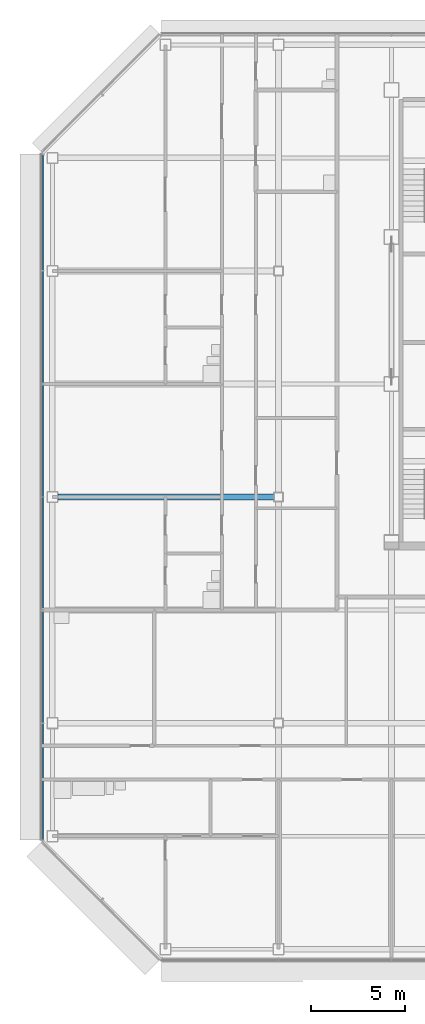
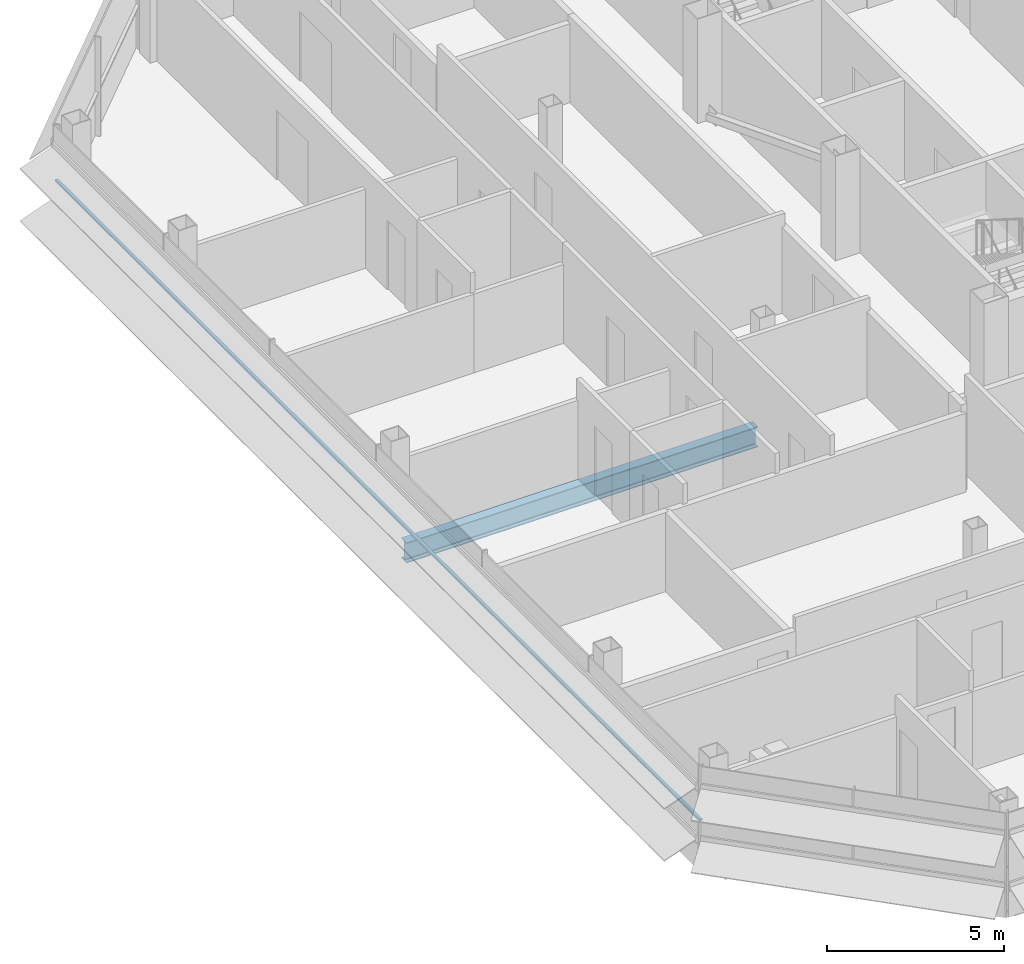
# One storey, part 6 of 28: 1 beam, 1 member, 1 element without a shape of its own.
"""IFC4 building model written with IfcOpenShell, lengths in metres."""

from ifc_helpers import new_model, si_unit, direction, frame, origin, origin_2d, place, context, subcontext, project, spatial, rectangle, i_section, extrude, material, material_profile, profile_set, type_object, element, aggregate, save


model = new_model("IFC4")

# Units and contexts
model_context = context("Model", 3, precision=1e-05, world=origin(), true_north=direction((0.0, 1.0)))
body_context = subcontext(model_context, "Body", "Model", "MODEL_VIEW")
ifc_project = project(units=[si_unit("LENGTHUNIT", "METRE"), si_unit("AREAUNIT", "SQUARE_METRE"), si_unit("VOLUMEUNIT", "CUBIC_METRE"), si_unit("PLANEANGLEUNIT", "RADIAN"), si_unit("MASSUNIT", "GRAM", prefix="KILO")], contexts=[model_context])

# Site, building, storey
site_placement = place(None, origin())
site = spatial("IfcSite", under=ifc_project, at=site_placement, CompositionType="ELEMENT")
building_placement = place(site_placement, origin())
building = spatial("IfcBuilding", under=site, at=building_placement, Name="Sorahane Residences", CompositionType="ELEMENT")
storey_placement = place(building_placement, frame((0.0, 0.0, 273.800048828125)))
storey = spatial("IfcBuildingStorey", under=building, at=storey_placement, Name="L65", CompositionType="ELEMENT", Elevation=273.800048828125)

# Curtain wall, member
ifc_material_1 = material(Name="Dark low-e glass and black anodised aluminium", Category="aluminium")
curtain_wall_type = type_object("IfcCurtainWallType", Name="Curtain wall CW-1 Typical unitised wall", PredefinedType="NOTDEFINED", material=ifc_material_1)
curtain_wall_placement = place(storey_placement, origin())
curtain_wall = element("IfcCurtainWall", 1, at=curtain_wall_placement, inside=storey, type_object=curtain_wall_type, Name="CW-1 curtain wall L65 W1", PredefinedType="NOTDEFINED")
ifc_material_2 = material(Name="Black anodised aluminium", Category="aluminium")
ifc_material_profile_1 = material_profile(ifc_material_2, rectangle(XDim=0.10009765625, YDim=0.06005859375, at=origin_2d()), Name="Curtain wall transom CW-1 black anodised aluminium 60x100")
ifc_profile_set_1 = profile_set([ifc_material_profile_1], Name="Black anodised aluminium")
member_type = type_object("IfcMemberType", Name="Curtain wall transom CW-1 black anodised aluminium 60x100", PredefinedType="USERDEFINED", material=ifc_profile_set_1)
member_placement = place(storey_placement, frame((-12.530029296875, 42.198486328125, 1.5), z_axis=(0.0, -1.0, 0.0), x_axis=(1.0, 0.0, 0.0)))
member = element("IfcMember", 2, at=member_placement, type_object=member_type, Name="CW-1 transom L65 W1", ObjectType="TRANSOM", PredefinedType="USERDEFINED", context=body_context, shape_type="SweptSolid", body=[
    extrude(rectangle(XDim=0.10009765625, YDim=0.06005859375, at=origin_2d()), origin(), (0.0, 0.0, 1.0), 36.39697265625),
])
aggregate(curtain_wall, [member])

# Beam
ifc_material_3 = material(Name="Steel Q355B", Category="steel")
ifc_material_profile_2 = material_profile(ifc_material_3, i_section(OverallWidth=0.300048828125, OverallDepth=0.699951171875, WebThickness=0.012939453125, FlangeThickness=0.02392578125, FilletRadius=0.028076171875, at=origin_2d()), Name="HN 700x300x13x24")
ifc_profile_set_2 = profile_set([ifc_material_profile_2], Name="Steel Q355B")
beam_type = type_object("IfcBeamType", Name="Steel floor beam HN 700x300x13x24 Q355B", PredefinedType="BEAM", material=ifc_profile_set_2)
beam_placement = place(storey_placement, frame((-11.699951171875, 24.0, -0.530029296875), z_axis=(1.0, 0.0, 0.0), x_axis=(0.0, 1.0, 0.0)))
element("IfcBeam", 3, at=beam_placement, inside=storey, type_object=beam_type, Name="Beam L65 011", PredefinedType="BEAM", context=body_context, shape_type="SweptSolid", body=[
    extrude(i_section(OverallWidth=0.300048828125, OverallDepth=0.699951171875, WebThickness=0.012939453125, FlangeThickness=0.02392578125, FilletRadius=0.028076171875, at=origin_2d()), origin(), (0.0, 0.0, 1.0), 11.449951171875),
])

save(model, "model.ifc")
